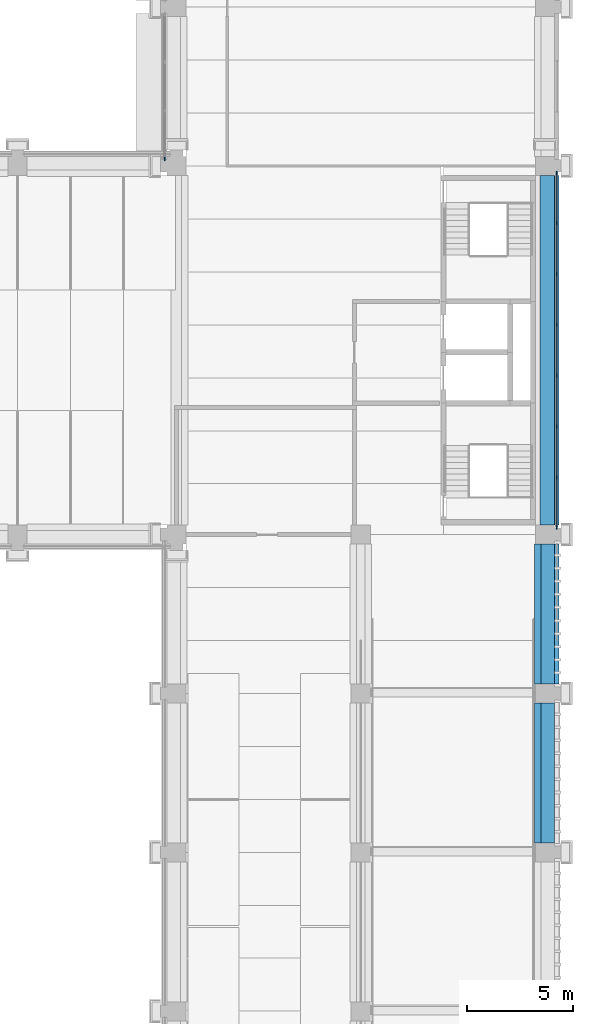
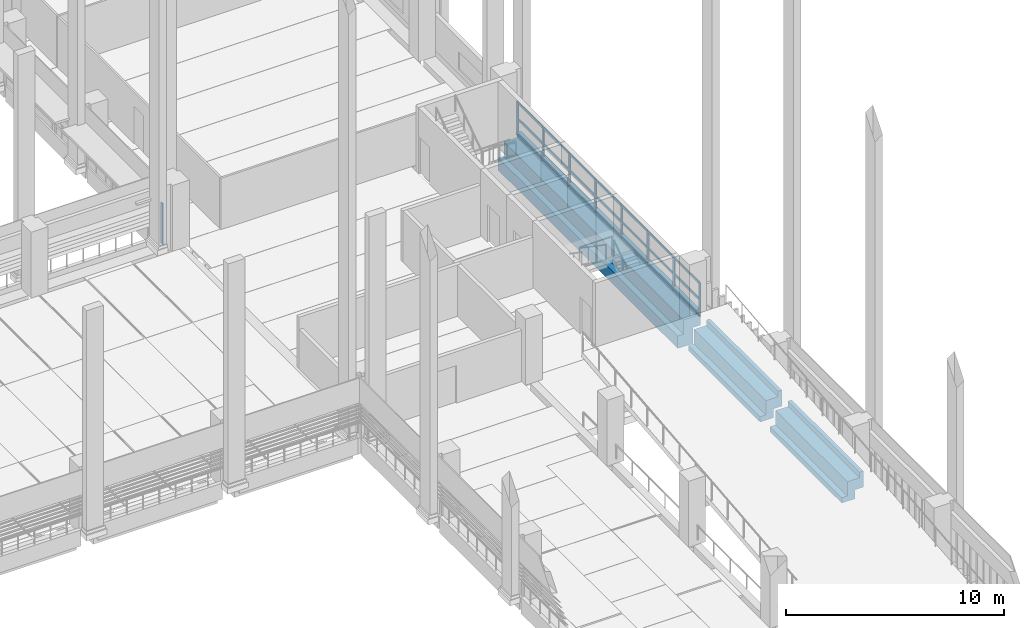
# One storey, part 21 of 67: 30 members, 3 beams, 2 elements without a shape of their own.
"""IFC4 building model written with IfcOpenShell, lengths in metres."""

from ifc_helpers import new_model, si_unit, direction, frame, origin, origin_2d, place, context, subcontext, project, spatial, polyline, rectangle, outline, extrude, material, layer, layer_set, material_profile, profile_set, type_object, element, aggregate, save


model = new_model("IFC4")

# Units and contexts
model_context = context("Model", 3, precision=1e-05, world=origin(), true_north=direction((0.0, 1.0)))
body_context = subcontext(model_context, "Body", "Model", "MODEL_VIEW")
ifc_project = project(units=[si_unit("LENGTHUNIT", "METRE"), si_unit("AREAUNIT", "SQUARE_METRE"), si_unit("VOLUMEUNIT", "CUBIC_METRE"), si_unit("PLANEANGLEUNIT", "RADIAN"), si_unit("MASSUNIT", "GRAM", prefix="KILO")], contexts=[model_context])

# Site, building, storey
site_placement = place(None, origin())
site = spatial("IfcSite", under=ifc_project, at=site_placement, CompositionType="ELEMENT")
building_placement = place(site_placement, origin())
building = spatial("IfcBuilding", under=site, at=building_placement, Name="Cour d'Honneur Mobility Palace", CompositionType="ELEMENT")
storey_placement = place(building_placement, frame((0.0, 0.0, 4.5)))
storey = spatial("IfcBuildingStorey", under=building, at=storey_placement, Name="L01", CompositionType="ELEMENT", Elevation=4.5)

# Curtain wall, member
ifc_material_1 = material(Name="Aluminium and glass", Category="aluminium")
ifc_layer = layer(ifc_material_1, 0.10009765625)
ifc_layer_set = layer_set([ifc_layer], Name="Aluminium and glass")
curtain_wall_type = type_object("IfcCurtainWallType", Name="Curtain wall run", PredefinedType="NOTDEFINED", material=ifc_layer_set)
curtain_wall_1_placement = place(storey_placement, origin())
curtain_wall_1 = element("IfcCurtainWall", 1, at=curtain_wall_1_placement, inside=storey, type_object=curtain_wall_type, Name="Curtain wall CW-50", PredefinedType="NOTDEFINED")
ifc_material_2 = material(Name="Aluminium", Category="aluminium")
ifc_material_profile_1 = material_profile(ifc_material_2, rectangle(XDim=0.06005859375, YDim=0.159912109375, at=origin_2d()), Name="Curtain wall mullion")
ifc_profile_set_1 = profile_set([ifc_material_profile_1], Name="Aluminium")
member_type_1 = type_object("IfcMemberType", Name="Curtain wall mullion", PredefinedType="MULLION", material=ifc_profile_set_1)
member_1_placement = place(storey_placement, frame((144.35009765625, 62.72998046875, 0.0), z_axis=(0.0, 0.0, 1.0), x_axis=(1.0, 0.0, 0.0)))
member_1 = element("IfcMember", 2, at=member_1_placement, type_object=member_type_1, Name="CW-50 mullion 4", PredefinedType="MULLION", context=body_context, shape_type="SweptSolid", body=[
    extrude(rectangle(XDim=0.06005859375, YDim=0.159912109375, at=origin_2d()), origin(), (0.0, 0.0, 1.0), 2.300048828125),
])
aggregate(curtain_wall_1, [member_1])

# Curtain wall, members
curtain_wall_2_placement = place(storey_placement, origin())
curtain_wall_2 = element("IfcCurtainWall", 3, at=curtain_wall_2_placement, inside=storey, type_object=curtain_wall_type, Name="Curtain wall CW-87", PredefinedType="NOTDEFINED")
member_2_placement = place(storey_placement, frame((162.85009765625, 45.330078125, 0.0), z_axis=(0.0, 0.0, 1.0), x_axis=(-1.0, 0.0, 0.0)))
member_2 = element("IfcMember", 4, at=member_2_placement, type_object=member_type_1, Name="CW-87 mullion 1", PredefinedType="MULLION", context=body_context, shape_type="SweptSolid", body=[
    extrude(rectangle(XDim=0.06005859375, YDim=0.159912109375, at=origin_2d()), origin(), (0.0, 0.0, 1.0), 1.89990234375),
])
member_3_placement = place(storey_placement, frame((162.85009765625, 47.699951171875, 0.0), z_axis=(0.0, 0.0, 1.0), x_axis=(-1.0, 0.0, 0.0)))
member_3 = element("IfcMember", 5, at=member_3_placement, type_object=member_type_1, Name="CW-87 mullion 2", PredefinedType="MULLION", context=body_context, shape_type="SweptSolid", body=[
    extrude(rectangle(XDim=0.06005859375, YDim=0.159912109375, at=origin_2d()), origin(), (0.0, 0.0, 1.0), 1.89990234375),
])
member_4_placement = place(storey_placement, frame((162.85009765625, 50.10009765625, 0.0), z_axis=(0.0, 0.0, 1.0), x_axis=(-1.0, 0.0, 0.0)))
member_4 = element("IfcMember", 6, at=member_4_placement, type_object=member_type_1, Name="CW-87 mullion 3", PredefinedType="MULLION", context=body_context, shape_type="SweptSolid", body=[
    extrude(rectangle(XDim=0.06005859375, YDim=0.159912109375, at=origin_2d()), origin(), (0.0, 0.0, 1.0), 1.89990234375),
])
member_5_placement = place(storey_placement, frame((162.85009765625, 52.5, 0.0), z_axis=(0.0, 0.0, 1.0), x_axis=(-1.0, 0.0, 0.0)))
member_5 = element("IfcMember", 7, at=member_5_placement, type_object=member_type_1, Name="CW-87 mullion 4", PredefinedType="MULLION", context=body_context, shape_type="SweptSolid", body=[
    extrude(rectangle(XDim=0.06005859375, YDim=0.159912109375, at=origin_2d()), origin(), (0.0, 0.0, 1.0), 1.89990234375),
])
member_6_placement = place(storey_placement, frame((162.85009765625, 54.89990234375, 0.0), z_axis=(0.0, 0.0, 1.0), x_axis=(-1.0, 0.0, 0.0)))
member_6 = element("IfcMember", 8, at=member_6_placement, type_object=member_type_1, Name="CW-87 mullion 5", PredefinedType="MULLION", context=body_context, shape_type="SweptSolid", body=[
    extrude(rectangle(XDim=0.06005859375, YDim=0.159912109375, at=origin_2d()), origin(), (0.0, 0.0, 1.0), 1.89990234375),
])
member_7_placement = place(storey_placement, frame((162.85009765625, 57.300048828125, 0.0), z_axis=(0.0, 0.0, 1.0), x_axis=(-1.0, 0.0, 0.0)))
member_7 = element("IfcMember", 9, at=member_7_placement, type_object=member_type_1, Name="CW-87 mullion 6", PredefinedType="MULLION", context=body_context, shape_type="SweptSolid", body=[
    extrude(rectangle(XDim=0.06005859375, YDim=0.159912109375, at=origin_2d()), origin(), (0.0, 0.0, 1.0), 1.89990234375),
])
member_8_placement = place(storey_placement, frame((162.85009765625, 59.699951171875, 0.0), z_axis=(0.0, 0.0, 1.0), x_axis=(-1.0, 0.0, 0.0)))
member_8 = element("IfcMember", 10, at=member_8_placement, type_object=member_type_1, Name="CW-87 mullion 7", PredefinedType="MULLION", context=body_context, shape_type="SweptSolid", body=[
    extrude(rectangle(XDim=0.06005859375, YDim=0.159912109375, at=origin_2d()), origin(), (0.0, 0.0, 1.0), 1.89990234375),
])
member_9_placement = place(storey_placement, frame((162.85009765625, 62.070068359375, 0.0), z_axis=(0.0, 0.0, 1.0), x_axis=(-1.0, 0.0, 0.0)))
member_9 = element("IfcMember", 11, at=member_9_placement, type_object=member_type_1, Name="CW-87 mullion 8", PredefinedType="MULLION", context=body_context, shape_type="SweptSolid", body=[
    extrude(rectangle(XDim=0.06005859375, YDim=0.159912109375, at=origin_2d()), origin(), (0.0, 0.0, 1.0), 1.89990234375),
])
ifc_material_3 = material(Name="Aluminium", Category="aluminium")
ifc_material_profile_2 = material_profile(ifc_material_3, rectangle(XDim=0.06005859375, YDim=0.1201171875, at=origin_2d()), Name="Curtain wall transom")
ifc_profile_set_2 = profile_set([ifc_material_profile_2], Name="Aluminium")
member_type_2 = type_object("IfcMemberType", Name="Curtain wall transom", PredefinedType="USERDEFINED", material=ifc_profile_set_2)
member_10_placement = place(storey_placement, frame((162.85009765625, 45.360107421875, 0.030029296875), z_axis=(0.0, 1.0, 0.0), x_axis=(-1.0, 0.0, 0.0)))
member_10 = element("IfcMember", 12, at=member_10_placement, type_object=member_type_2, Name="CW-87 transom 1.1", ObjectType="TRANSOM", PredefinedType="USERDEFINED", context=body_context, shape_type="SweptSolid", body=[
    extrude(rectangle(XDim=0.06005859375, YDim=0.1201171875, at=origin_2d()), origin(), (0.0, 0.0, 1.0), 2.309814453125),
])
member_11_placement = place(storey_placement, frame((162.85009765625, 45.360107421875, 0.949951171875), z_axis=(0.0, 1.0, 0.0), x_axis=(-1.0, 0.0, 0.0)))
member_11 = element("IfcMember", 13, at=member_11_placement, type_object=member_type_2, Name="CW-87 transom 1.2", ObjectType="TRANSOM", PredefinedType="USERDEFINED", context=body_context, shape_type="SweptSolid", body=[
    extrude(rectangle(XDim=0.06005859375, YDim=0.1201171875, at=origin_2d()), origin(), (0.0, 0.0, 1.0), 2.309814453125),
])
member_12_placement = place(storey_placement, frame((162.85009765625, 45.360107421875, 1.8701171875), z_axis=(0.0, 1.0, 0.0), x_axis=(-1.0, 0.0, 0.0)))
member_12 = element("IfcMember", 14, at=member_12_placement, type_object=member_type_2, Name="CW-87 transom 1.3", ObjectType="TRANSOM", PredefinedType="USERDEFINED", context=body_context, shape_type="SweptSolid", body=[
    extrude(rectangle(XDim=0.06005859375, YDim=0.1201171875, at=origin_2d()), origin(), (0.0, 0.0, 1.0), 2.309814453125),
])
member_13_placement = place(storey_placement, frame((162.85009765625, 47.72998046875, 0.030029296875), z_axis=(0.0, 1.0, 0.0), x_axis=(-1.0, 0.0, 0.0)))
member_13 = element("IfcMember", 15, at=member_13_placement, type_object=member_type_2, Name="CW-87 transom 2.1", ObjectType="TRANSOM", PredefinedType="USERDEFINED", context=body_context, shape_type="SweptSolid", body=[
    extrude(rectangle(XDim=0.06005859375, YDim=0.1201171875, at=origin_2d()), origin(), (0.0, 0.0, 1.0), 2.340087890625),
])
member_14_placement = place(storey_placement, frame((162.85009765625, 47.72998046875, 0.949951171875), z_axis=(0.0, 1.0, 0.0), x_axis=(-1.0, 0.0, 0.0)))
member_14 = element("IfcMember", 16, at=member_14_placement, type_object=member_type_2, Name="CW-87 transom 2.2", ObjectType="TRANSOM", PredefinedType="USERDEFINED", context=body_context, shape_type="SweptSolid", body=[
    extrude(rectangle(XDim=0.06005859375, YDim=0.1201171875, at=origin_2d()), origin(), (0.0, 0.0, 1.0), 2.340087890625),
])
member_15_placement = place(storey_placement, frame((162.85009765625, 47.72998046875, 1.8701171875), z_axis=(0.0, 1.0, 0.0), x_axis=(-1.0, 0.0, 0.0)))
member_15 = element("IfcMember", 17, at=member_15_placement, type_object=member_type_2, Name="CW-87 transom 2.3", ObjectType="TRANSOM", PredefinedType="USERDEFINED", context=body_context, shape_type="SweptSolid", body=[
    extrude(rectangle(XDim=0.06005859375, YDim=0.1201171875, at=origin_2d()), origin(), (0.0, 0.0, 1.0), 2.340087890625),
])
member_16_placement = place(storey_placement, frame((162.85009765625, 50.1298828125, 0.030029296875), z_axis=(0.0, 1.0, 0.0), x_axis=(-1.0, 0.0, 0.0)))
member_16 = element("IfcMember", 18, at=member_16_placement, type_object=member_type_2, Name="CW-87 transom 3.1", ObjectType="TRANSOM", PredefinedType="USERDEFINED", context=body_context, shape_type="SweptSolid", body=[
    extrude(rectangle(XDim=0.06005859375, YDim=0.1201171875, at=origin_2d()), origin(), (0.0, 0.0, 1.0), 2.340087890625),
])
member_17_placement = place(storey_placement, frame((162.85009765625, 50.1298828125, 0.949951171875), z_axis=(0.0, 1.0, 0.0), x_axis=(-1.0, 0.0, 0.0)))
member_17 = element("IfcMember", 19, at=member_17_placement, type_object=member_type_2, Name="CW-87 transom 3.2", ObjectType="TRANSOM", PredefinedType="USERDEFINED", context=body_context, shape_type="SweptSolid", body=[
    extrude(rectangle(XDim=0.06005859375, YDim=0.1201171875, at=origin_2d()), origin(), (0.0, 0.0, 1.0), 2.340087890625),
])
member_18_placement = place(storey_placement, frame((162.85009765625, 50.1298828125, 1.8701171875), z_axis=(0.0, 1.0, 0.0), x_axis=(-1.0, 0.0, 0.0)))
member_18 = element("IfcMember", 20, at=member_18_placement, type_object=member_type_2, Name="CW-87 transom 3.3", ObjectType="TRANSOM", PredefinedType="USERDEFINED", context=body_context, shape_type="SweptSolid", body=[
    extrude(rectangle(XDim=0.06005859375, YDim=0.1201171875, at=origin_2d()), origin(), (0.0, 0.0, 1.0), 2.340087890625),
])
member_19_placement = place(storey_placement, frame((162.85009765625, 52.530029296875, 0.030029296875), z_axis=(0.0, 1.0, 0.0), x_axis=(-1.0, 0.0, 0.0)))
member_19 = element("IfcMember", 21, at=member_19_placement, type_object=member_type_2, Name="CW-87 transom 4.1", ObjectType="TRANSOM", PredefinedType="USERDEFINED", context=body_context, shape_type="SweptSolid", body=[
    extrude(rectangle(XDim=0.06005859375, YDim=0.1201171875, at=origin_2d()), origin(), (0.0, 0.0, 1.0), 2.340087890625),
])
member_20_placement = place(storey_placement, frame((162.85009765625, 52.530029296875, 0.949951171875), z_axis=(0.0, 1.0, 0.0), x_axis=(-1.0, 0.0, 0.0)))
member_20 = element("IfcMember", 22, at=member_20_placement, type_object=member_type_2, Name="CW-87 transom 4.2", ObjectType="TRANSOM", PredefinedType="USERDEFINED", context=body_context, shape_type="SweptSolid", body=[
    extrude(rectangle(XDim=0.06005859375, YDim=0.1201171875, at=origin_2d()), origin(), (0.0, 0.0, 1.0), 2.340087890625),
])
member_21_placement = place(storey_placement, frame((162.85009765625, 52.530029296875, 1.8701171875), z_axis=(0.0, 1.0, 0.0), x_axis=(-1.0, 0.0, 0.0)))
member_21 = element("IfcMember", 23, at=member_21_placement, type_object=member_type_2, Name="CW-87 transom 4.3", ObjectType="TRANSOM", PredefinedType="USERDEFINED", context=body_context, shape_type="SweptSolid", body=[
    extrude(rectangle(XDim=0.06005859375, YDim=0.1201171875, at=origin_2d()), origin(), (0.0, 0.0, 1.0), 2.340087890625),
])
member_22_placement = place(storey_placement, frame((162.85009765625, 54.929931640625, 0.030029296875), z_axis=(0.0, 1.0, 0.0), x_axis=(-1.0, 0.0, 0.0)))
member_22 = element("IfcMember", 24, at=member_22_placement, type_object=member_type_2, Name="CW-87 transom 5.1", ObjectType="TRANSOM", PredefinedType="USERDEFINED", context=body_context, shape_type="SweptSolid", body=[
    extrude(rectangle(XDim=0.06005859375, YDim=0.1201171875, at=origin_2d()), origin(), (0.0, 0.0, 1.0), 2.340087890625),
])
member_23_placement = place(storey_placement, frame((162.85009765625, 54.929931640625, 0.949951171875), z_axis=(0.0, 1.0, 0.0), x_axis=(-1.0, 0.0, 0.0)))
member_23 = element("IfcMember", 25, at=member_23_placement, type_object=member_type_2, Name="CW-87 transom 5.2", ObjectType="TRANSOM", PredefinedType="USERDEFINED", context=body_context, shape_type="SweptSolid", body=[
    extrude(rectangle(XDim=0.06005859375, YDim=0.1201171875, at=origin_2d()), origin(), (0.0, 0.0, 1.0), 2.340087890625),
])
member_24_placement = place(storey_placement, frame((162.85009765625, 54.929931640625, 1.8701171875), z_axis=(0.0, 1.0, 0.0), x_axis=(-1.0, 0.0, 0.0)))
member_24 = element("IfcMember", 26, at=member_24_placement, type_object=member_type_2, Name="CW-87 transom 5.3", ObjectType="TRANSOM", PredefinedType="USERDEFINED", context=body_context, shape_type="SweptSolid", body=[
    extrude(rectangle(XDim=0.06005859375, YDim=0.1201171875, at=origin_2d()), origin(), (0.0, 0.0, 1.0), 2.340087890625),
])
member_25_placement = place(storey_placement, frame((162.85009765625, 57.330078125, 0.030029296875), z_axis=(0.0, 1.0, 0.0), x_axis=(-1.0, 0.0, 0.0)))
member_25 = element("IfcMember", 27, at=member_25_placement, type_object=member_type_2, Name="CW-87 transom 6.1", ObjectType="TRANSOM", PredefinedType="USERDEFINED", context=body_context, shape_type="SweptSolid", body=[
    extrude(rectangle(XDim=0.06005859375, YDim=0.1201171875, at=origin_2d()), origin(), (0.0, 0.0, 1.0), 2.33984375),
])
member_26_placement = place(storey_placement, frame((162.85009765625, 57.330078125, 0.949951171875), z_axis=(0.0, 1.0, 0.0), x_axis=(-1.0, 0.0, 0.0)))
member_26 = element("IfcMember", 28, at=member_26_placement, type_object=member_type_2, Name="CW-87 transom 6.2", ObjectType="TRANSOM", PredefinedType="USERDEFINED", context=body_context, shape_type="SweptSolid", body=[
    extrude(rectangle(XDim=0.06005859375, YDim=0.1201171875, at=origin_2d()), origin(), (0.0, 0.0, 1.0), 2.33984375),
])
member_27_placement = place(storey_placement, frame((162.85009765625, 57.330078125, 1.8701171875), z_axis=(0.0, 1.0, 0.0), x_axis=(-1.0, 0.0, 0.0)))
member_27 = element("IfcMember", 29, at=member_27_placement, type_object=member_type_2, Name="CW-87 transom 6.3", ObjectType="TRANSOM", PredefinedType="USERDEFINED", context=body_context, shape_type="SweptSolid", body=[
    extrude(rectangle(XDim=0.06005859375, YDim=0.1201171875, at=origin_2d()), origin(), (0.0, 0.0, 1.0), 2.33984375),
])
member_28_placement = place(storey_placement, frame((162.85009765625, 59.72998046875, 0.030029296875), z_axis=(0.0, 1.0, 0.0), x_axis=(-1.0, 0.0, 0.0)))
member_28 = element("IfcMember", 30, at=member_28_placement, type_object=member_type_2, Name="CW-87 transom 7.1", ObjectType="TRANSOM", PredefinedType="USERDEFINED", context=body_context, shape_type="SweptSolid", body=[
    extrude(rectangle(XDim=0.06005859375, YDim=0.1201171875, at=origin_2d()), origin(), (0.0, 0.0, 1.0), 2.31005859375),
])
member_29_placement = place(storey_placement, frame((162.85009765625, 59.72998046875, 0.949951171875), z_axis=(0.0, 1.0, 0.0), x_axis=(-1.0, 0.0, 0.0)))
member_29 = element("IfcMember", 31, at=member_29_placement, type_object=member_type_2, Name="CW-87 transom 7.2", ObjectType="TRANSOM", PredefinedType="USERDEFINED", context=body_context, shape_type="SweptSolid", body=[
    extrude(rectangle(XDim=0.06005859375, YDim=0.1201171875, at=origin_2d()), origin(), (0.0, 0.0, 1.0), 2.31005859375),
])
member_30_placement = place(storey_placement, frame((162.85009765625, 59.72998046875, 1.8701171875), z_axis=(0.0, 1.0, 0.0), x_axis=(-1.0, 0.0, 0.0)))
member_30 = element("IfcMember", 32, at=member_30_placement, type_object=member_type_2, Name="CW-87 transom 7.3", ObjectType="TRANSOM", PredefinedType="USERDEFINED", context=body_context, shape_type="SweptSolid", body=[
    extrude(rectangle(XDim=0.06005859375, YDim=0.1201171875, at=origin_2d()), origin(), (0.0, 0.0, 1.0), 2.31005859375),
])
aggregate(curtain_wall_2, [member_2, member_3, member_4, member_5, member_6, member_7, member_8, member_9, member_10, member_11, member_12, member_13, member_14, member_15, member_16, member_17, member_18, member_19, member_20, member_21, member_22, member_23, member_24, member_25, member_26, member_27, member_28, member_29, member_30])

# Beams
ifc_material_4 = material(Name="Concrete C45", Category="concrete")
ifc_material_profile_3 = material_profile(ifc_material_4, outline(polyline([(0.5, -1.10009765625), (0.5, -0.800048828125), (0.199951171875, -0.800048828125), (0.199951171875, 0.0), (-0.199951171875, 0.0), (-0.449951171875, 0.0), (-0.449951171875, 0.300048828125), (-0.64990234375, 0.300048828125), (-0.64990234375, -0.60009765625), (-0.199951171875, -0.60009765625), (-0.199951171875, -1.10009765625), (0.5, -1.10009765625)])), Name="Ledger Beam 400x1100 ledge left 300 facade right")
ifc_profile_set_3 = profile_set([ifc_material_profile_3], Name="Concrete C45")
beam_type_1 = type_object("IfcBeamType", Name="Ledger Beam 400x1100 ledge left 300 facade right", PredefinedType="BEAM", material=ifc_profile_set_3)
for number, where, z_axis, x_axis, name in (
    (33, (162.300048828125, 30.449951171875, 0.0), (0.0, 1.0, 0.0), (-1.0, 0.0, 0.0), "Precast beam B3 E-F L01"),
    (34, (162.300048828125, 37.949951171875, 0.0), (0.0, 1.0, 0.0), (-1.0, 0.0, 0.0), "Precast beam B3 F-G L01"),
):
    element("IfcBeam", number, at=place(storey_placement, frame(where, z_axis=z_axis, x_axis=x_axis)), inside=storey, type_object=beam_type_1, Name=name, PredefinedType="BEAM", context=body_context, shape_type="SweptSolid", body=[
        extrude(outline(polyline([(0.5, -1.10009765625), (0.5, -0.800048828125), (0.199951171875, -0.800048828125), (0.199951171875, 0.0), (-0.199951171875, 0.0), (-0.449951171875, 0.0), (-0.449951171875, 0.300048828125), (-0.64990234375, 0.300048828125), (-0.64990234375, -0.60009765625), (-0.199951171875, -0.60009765625), (-0.199951171875, -1.10009765625), (0.5, -1.10009765625)])), origin(), (0.0, 0.0, 1.0), 6.60009765625),
    ])
ifc_material_5 = material(Name="Concrete C45", Category="concrete")
ifc_material_profile_4 = material_profile(ifc_material_5, outline(polyline([(0.550048828125, -1.5), (0.550048828125, -0.800048828125), (0.25, -0.800048828125), (0.25, 0.0), (-0.25, 0.0), (-0.449951171875, 0.0), (-0.449951171875, 0.300048828125), (-0.64990234375, 0.300048828125), (-0.64990234375, -0.60009765625), (-0.25, -0.60009765625), (-0.25, -1.5), (0.550048828125, -1.5)])), Name="Ledger Beam 500x1500 ledge left 700 facade right")
ifc_profile_set_4 = profile_set([ifc_material_profile_4], Name="Concrete C45")
beam_type_2 = type_object("IfcBeamType", Name="Ledger Beam 500x1500 ledge left 700 facade right", PredefinedType="BEAM", material=ifc_profile_set_4)
beam_placement = place(storey_placement, frame((162.300048828125, 45.449951171875, 0.0), z_axis=(0.0, 1.0, 0.0), x_axis=(-1.0, 0.0, 0.0)))
element("IfcBeam", 35, at=beam_placement, inside=storey, type_object=beam_type_2, Name="Precast beam B21 G-H L01", PredefinedType="BEAM", context=body_context, shape_type="SweptSolid", body=[
    extrude(outline(polyline([(0.550048828125, -1.5), (0.550048828125, -0.800048828125), (0.25, -0.800048828125), (0.25, 0.0), (-0.25, 0.0), (-0.449951171875, 0.0), (-0.449951171875, 0.300048828125), (-0.64990234375, 0.300048828125), (-0.64990234375, -0.60009765625), (-0.25, -0.60009765625), (-0.25, -1.5), (0.550048828125, -1.5)])), origin(), (0.0, 0.0, 1.0), 16.5),
])

save(model, "model.ifc")
